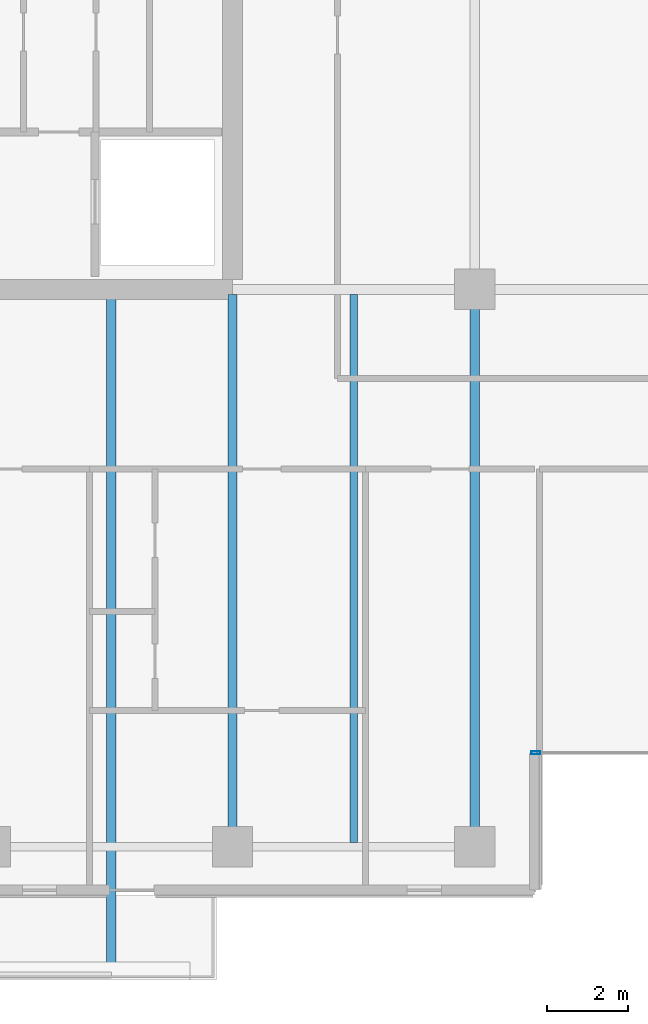
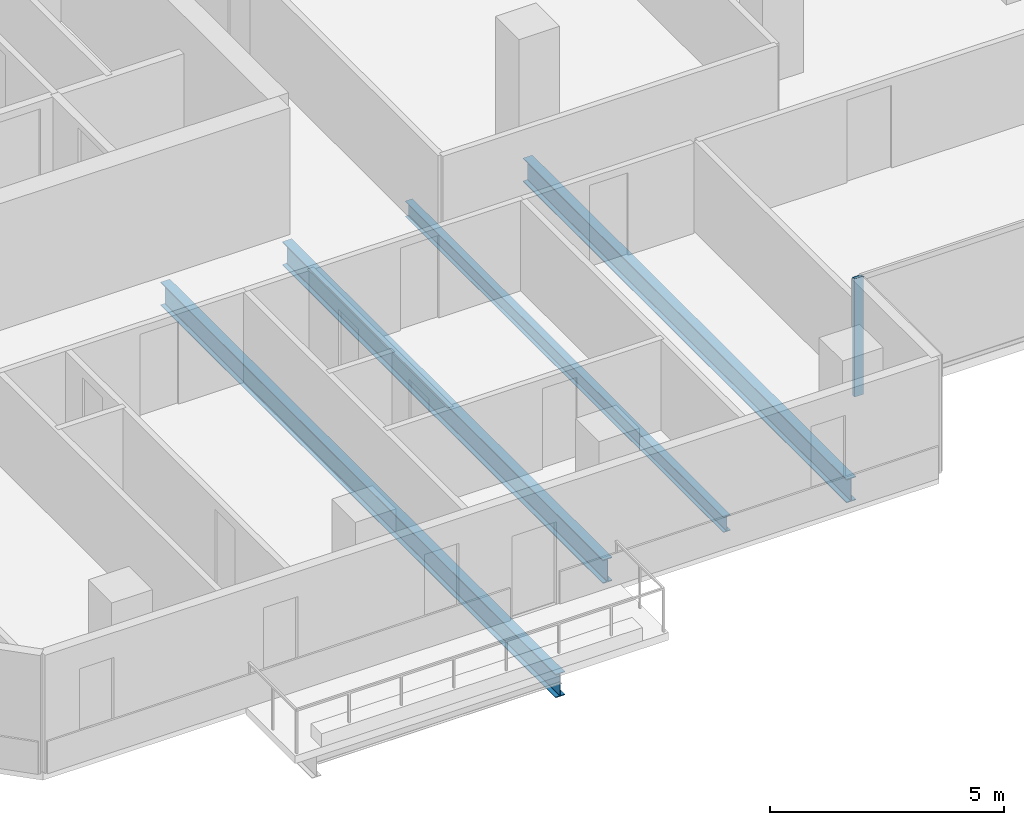
# One storey, part 2 of 23: 4 beams, 1 member, 1 element without a shape of its own.
"""IFC4 building model written with IfcOpenShell, lengths in metres."""

from ifc_helpers import new_model, si_unit, direction, frame, origin, origin_2d, place, context, subcontext, project, spatial, hollow_rectangle, i_section, extrude, material, layer, layer_set, material_profile, profile_set, type_object, element, aggregate, save


model = new_model("IFC4")

# Units and contexts
model_context = context("Model", 3, precision=1e-05, world=origin(), true_north=direction((0.0, 1.0)))
body_context = subcontext(model_context, "Body", "Model", "MODEL_VIEW")
ifc_project = project(units=[si_unit("LENGTHUNIT", "METRE"), si_unit("AREAUNIT", "SQUARE_METRE"), si_unit("VOLUMEUNIT", "CUBIC_METRE"), si_unit("PLANEANGLEUNIT", "RADIAN"), si_unit("MASSUNIT", "GRAM", prefix="KILO")], contexts=[model_context])

# Site, building, storey
site_placement = place(None, origin())
site = spatial("IfcSite", under=ifc_project, at=site_placement, CompositionType="ELEMENT")
building_placement = place(site_placement, origin())
building = spatial("IfcBuilding", under=site, at=building_placement, Name="Tanjung Sevakor Pilgrim Tower", CompositionType="ELEMENT")
storey_placement = place(building_placement, frame((0.0, 0.0, 88.77001953125)))
storey = spatial("IfcBuildingStorey", under=building, at=storey_placement, Name="L24", CompositionType="ELEMENT", Elevation=88.77001953125)

# Beams
ifc_material_1 = material(Name="Steel S355J2", Category="steel")
ifc_material_profile_1 = material_profile(ifc_material_1, i_section(OverallWidth=0.230224609375, OverallDepth=0.6171875, WebThickness=0.01318359375, FlangeThickness=0.022216796875, FilletRadius=0.0126953125, at=origin_2d()))
ifc_profile_set_1 = profile_set([ifc_material_profile_1], Name="Steel S355J2")
beam_type_1 = type_object("IfcBeamType", Name="BM-B-G3-UB_610x229x140", PredefinedType="BEAM", material=ifc_profile_set_1)
beam_1_placement = place(storey_placement, frame((36.0, 10.800048828125, -0.528564453125), z_axis=(0.0, 1.0, 0.0), x_axis=(-1.0, 0.0, 0.0)))
element("IfcBeam", 1, at=beam_1_placement, inside=storey, type_object=beam_type_1, Name="L24 MAIN Girder 005", PredefinedType="BEAM", context=body_context, shape_type="SweptSolid", body=[
    extrude(i_section(OverallWidth=0.230224609375, OverallDepth=0.6171875, WebThickness=0.01318359375, FlangeThickness=0.022216796875, FilletRadius=0.0126953125, at=origin_2d()), origin(), (0.0, 0.0, 1.0), 13.672607421875),
])
beam_2_placement = place(storey_placement, frame((42.0, 10.800048828125, -0.528564453125), z_axis=(0.0, 1.0, 0.0), x_axis=(-1.0, 0.0, 0.0)))
element("IfcBeam", 2, at=beam_2_placement, inside=storey, type_object=beam_type_1, Name="L24 MAIN Girder 009", PredefinedType="BEAM", context=body_context, shape_type="SweptSolid", body=[
    extrude(i_section(OverallWidth=0.230224609375, OverallDepth=0.6171875, WebThickness=0.01318359375, FlangeThickness=0.022216796875, FilletRadius=0.0126953125, at=origin_2d()), origin(), (0.0, 0.0, 1.0), 13.800048828125),
])
ifc_material_2 = material(Name="Steel S355J2", Category="steel")
ifc_material_profile_2 = material_profile(ifc_material_2, i_section(OverallWidth=0.22900390625, OverallDepth=0.6123046875, WebThickness=0.011962890625, FlangeThickness=0.01953125, FilletRadius=0.0126953125, at=origin_2d()))
ifc_profile_set_2 = profile_set([ifc_material_profile_2], Name="Steel S355J2")
beam_type_2 = type_object("IfcBeamType", Name="BM-B-G4-UB_610x229x125", PredefinedType="BEAM", material=ifc_profile_set_2)
beam_3_placement = place(storey_placement, frame((33.0, 24.47265625, -0.526123046875), z_axis=(0.0, -1.0, 0.0), x_axis=(1.0, 0.0, 0.0)))
element("IfcBeam", 3, at=beam_3_placement, inside=storey, type_object=beam_type_2, Name="L24 Balcony Cantilever Beam MAIN-S1-2", PredefinedType="BEAM", context=body_context, shape_type="SweptSolid", body=[
    extrude(i_section(OverallWidth=0.22900390625, OverallDepth=0.6123046875, WebThickness=0.011962890625, FlangeThickness=0.01953125, FilletRadius=0.0126953125, at=origin_2d()), origin(), (0.0, 0.0, 1.0), 16.8525390625),
])
ifc_material_3 = material(Name="Steel S355J2", Category="steel")
ifc_material_profile_3 = material_profile(ifc_material_3, i_section(OverallWidth=0.1787109375, OverallDepth=0.409423828125, WebThickness=0.0087890625, FlangeThickness=0.014404296875, FilletRadius=0.01025390625, at=origin_2d()))
ifc_profile_set_3 = profile_set([ifc_material_profile_3], Name="Steel S355J2")
beam_type_3 = type_object("IfcBeamType", Name="BM-B-J3-UB_406x178x67", PredefinedType="JOIST", material=ifc_profile_set_3)
beam_4_placement = place(storey_placement, frame((39.0, 10.89990234375, -0.4248046875), z_axis=(0.0, 1.0, 0.0), x_axis=(-1.0, 0.0, 0.0)))
element("IfcBeam", 4, at=beam_4_placement, inside=storey, type_object=beam_type_3, Name="L24 MAIN Joist 007", PredefinedType="JOIST", context=body_context, shape_type="SweptSolid", body=[
    extrude(i_section(OverallWidth=0.1787109375, OverallDepth=0.409423828125, WebThickness=0.0087890625, FlangeThickness=0.014404296875, FilletRadius=0.01025390625, at=origin_2d()), origin(), (0.0, 0.0, 1.0), 13.57275390625),
])

# Curtain wall, member
ifc_material_4 = material(Name="Aluminium 6063-T6 and Low-E Glass", Category="aluminium")
ifc_layer = layer(ifc_material_4, 0.179931640625)
ifc_layer_set = layer_set([ifc_layer], Name="CW-SYS-CLEFT")
curtain_wall_type = type_object("IfcCurtainWallType", Name="CW-SYS-CLEFT", PredefinedType="NOTDEFINED", material=ifc_layer_set)
curtain_wall_placement = place(storey_placement, origin())
curtain_wall = element("IfcCurtainWall", 5, at=curtain_wall_placement, inside=storey, type_object=curtain_wall_type, Name="L24 Curtain Wall CW-CLF-L24-2", PredefinedType="NOTDEFINED")
ifc_material_5 = material(Name="Aluminium 6063-T6", Category="aluminium")
ifc_material_profile_4 = material_profile(ifc_material_5, hollow_rectangle(XDim=0.074951171875, YDim=0.219970703125, WallThickness=0.0048828125, at=origin_2d()))
ifc_profile_set_4 = profile_set([ifc_material_profile_4], Name="Aluminium 6063-T6")
member_type = type_object("IfcMemberType", Name="TYPE-CWM-2", PredefinedType="MULLION", material=ifc_profile_set_4)
member_placement = place(storey_placement, frame((43.512451171875, 13.125, 0.0), z_axis=(0.0, 0.0, 1.0), x_axis=(0.0, 1.0, 0.0)))
member = element("IfcMember", 6, at=member_placement, type_object=member_type, Name="CW-CLF mullion 1", PredefinedType="MULLION", context=body_context, shape_type="SweptSolid", body=[
    extrude(hollow_rectangle(XDim=0.074951171875, YDim=0.219970703125, WallThickness=0.0048828125, at=origin_2d()), origin(), (0.0, 0.0, 1.0), 3.080078125),
])
aggregate(curtain_wall, [member])

save(model, "model.ifc")
